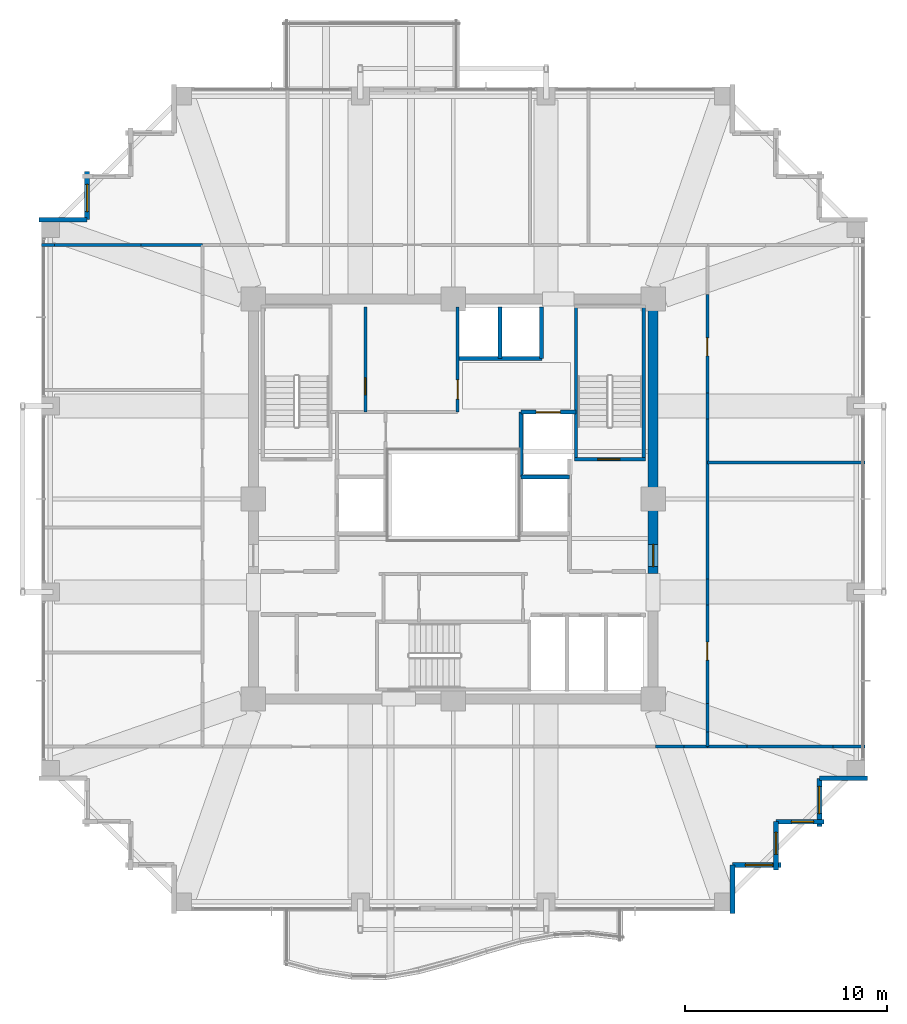
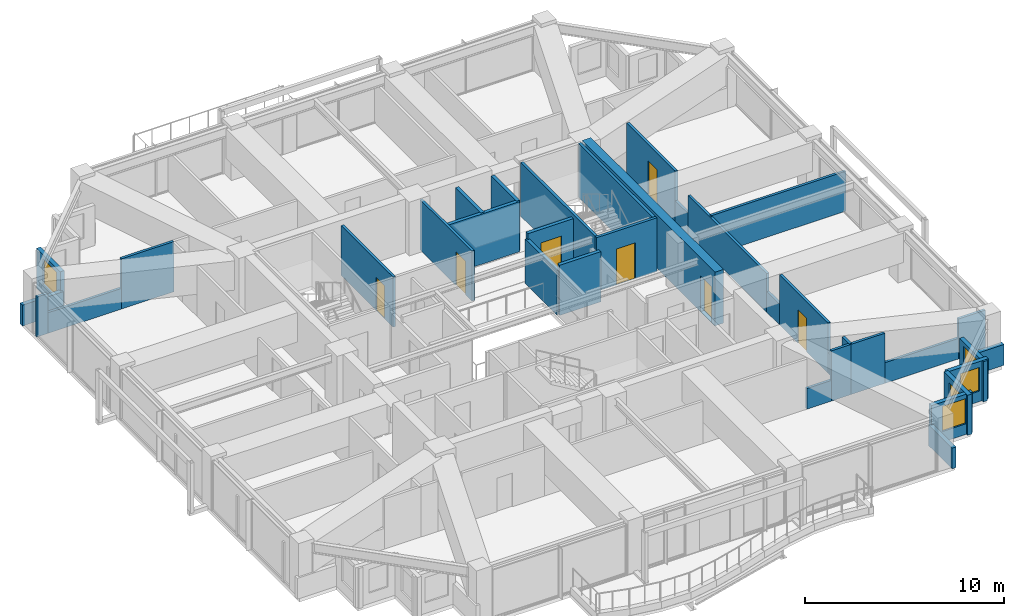
# One storey, part 33 of 37: 36 walls, 7 doors, 5 windows, 12 openings.
"""IFC4 building model written with IfcOpenShell, lengths in metres."""

from ifc_helpers import new_model, si_unit, direction, frame, frame_2d, origin, place, context, subcontext, project, spatial, rectangle, extrude, material, layer, layer_set, type_object, element, fill, save


model = new_model("IFC4")

# Units and contexts
model_context = context("Model", 3, precision=1e-05, world=origin(), true_north=direction((0.0, 1.0)))
body_context = subcontext(model_context, "Body", "Model", "MODEL_VIEW")
ifc_project = project(units=[si_unit("LENGTHUNIT", "METRE"), si_unit("AREAUNIT", "SQUARE_METRE"), si_unit("VOLUMEUNIT", "CUBIC_METRE"), si_unit("PLANEANGLEUNIT", "RADIAN"), si_unit("MASSUNIT", "GRAM", prefix="KILO")], contexts=[model_context])

# Site, building, storey
site_placement = place(None, origin())
site = spatial("IfcSite", under=ifc_project, at=site_placement, CompositionType="ELEMENT")
building_placement = place(site_placement, origin())
building = spatial("IfcBuilding", under=site, at=building_placement, Name="Kolvaren Belvedere", CompositionType="ELEMENT")
storey_placement = place(building_placement, frame((0.0, 0.0, 186.60009765625)))
storey = spatial("IfcBuildingStorey", under=building, at=storey_placement, Name="L54", CompositionType="ELEMENT", Elevation=186.60009765625)

# Wall, opening, door
ifc_material_1 = material(Name="Concrete C50/60", Category="concrete")
ifc_layer_1 = layer(ifc_material_1, 0.5)
ifc_layer_set_1 = layer_set([ifc_layer_1], Name="Concrete C50/60")
wall_type_1 = type_object("IfcWallType", Name="CW-CORE-500", PredefinedType="SHEAR", material=ifc_layer_set_1)
wall_1_placement = place(storey_placement, frame((9.89990234375, -3.699951171875, 0.0), z_axis=(0.0, 0.0, 1.0), x_axis=(0.0, 1.0, 0.0)))
wall_1 = element("IfcWall", 1, at=wall_1_placement, inside=storey, type_object=wall_type_1, Name="L54 East Core Shear Wall 2", PredefinedType="SHEAR", context=body_context, shape_type="SweptSolid", body=[
    extrude(rectangle(XDim=13.349853515625, YDim=0.5, at=frame_2d((6.6748046875, 0.0))), origin(), (0.0, 0.0, 1.0), 3.2998046875),
])
opening_1_placement = place(wall_1_placement, frame((0.35009765625, 0.0, 0.0)))
opening_1 = element("IfcOpeningElement", 2, at=opening_1_placement, cuts=wall_1, Name="Opening D-FD90", PredefinedType="OPENING", context=body_context, shape_type="SweptSolid", body=[
    extrude(rectangle(XDim=1.10009765625, YDim=2.199951171875, at=frame_2d((0.550048828125, 1.10009765625))), frame((0.0, 0.260009765625, 0.0), z_axis=(0.0, -1.0, 0.0), x_axis=(1.0, 0.0, 0.0)), (0.0, 0.0, 1.0), 0.52001953125),
])
ifc_material_2 = material(Name="Painted hollow stainless steel", Category="steel")
door_type_1 = type_object("IfcDoorType", Name="DR-FD90-1100", OperationType="NOTDEFINED", PredefinedType="DOOR", material=ifc_material_2)
door_1_placement = place(opening_1_placement, origin())
door_1 = element("IfcDoor", 3, at=door_1_placement, inside=storey, type_object=door_type_1, Name="L54 East Firefighting Lobby Fire Door", OperationType="SINGLE_SWING_RIGHT", OverallHeight=2.199951171875, OverallWidth=1.10009765625, PredefinedType="DOOR", context=body_context, shape_type="SweptSolid", body=[
    extrude(rectangle(XDim=1.10009765625, YDim=2.199951171875, at=frame_2d((0.550048828125, 1.10009765625))), frame((0.0, 0.02490234375, 0.0), z_axis=(0.0, -1.0, 0.0), x_axis=(1.0, 0.0, 0.0)), (0.0, 0.0, 1.0), 0.050048828125),
])
fill(opening_1, door_1)

ifc_material_3 = material(Name="Concrete C50/60", Category="concrete")
ifc_layer_2 = layer(ifc_material_3, 0.159912109375)
ifc_layer_set_2 = layer_set([ifc_layer_2], Name="Concrete C50/60")
wall_type_2 = type_object("IfcWallType", Name="CW-STAIR-160", PredefinedType="SHEAR", material=ifc_layer_set_2)
wall_2_placement = place(storey_placement, frame((6.0, 1.969970703125, 0.0), z_axis=(0.0, 0.0, 1.0), x_axis=(1.0, 0.0, 0.0)))
wall_2 = element("IfcWall", 4, at=wall_2_placement, inside=storey, type_object=wall_type_2, Name="L54 Stair ST-2 South Shear Wall", PredefinedType="SHEAR", context=body_context, shape_type="SweptSolid", body=[
    extrude(rectangle(XDim=3.52001953125, YDim=0.159912109375, at=frame_2d((1.760009765625, 0.0))), origin(), (0.0, 0.0, 1.0), 3.2998046875),
])
opening_2_placement = place(wall_2_placement, frame((1.14990234375, 0.0, 0.0)))
opening_2 = element("IfcOpeningElement", 5, at=opening_2_placement, cuts=wall_2, Name="Opening D-FD90", PredefinedType="OPENING", context=body_context, shape_type="SweptSolid", body=[
    extrude(rectangle(XDim=1.10009765625, YDim=2.199951171875, at=frame_2d((0.550048828125, 1.10009765625))), frame((0.0, 0.08984375, 0.0), z_axis=(0.0, -1.0, 0.0), x_axis=(1.0, 0.0, 0.0)), (0.0, 0.0, 1.0), 0.179931640625),
])
door_2_placement = place(opening_2_placement, origin())
door_2 = element("IfcDoor", 6, at=door_2_placement, inside=storey, type_object=door_type_1, Name="L54 Stair ST-2 Fire Door", OperationType="SINGLE_SWING_RIGHT", OverallHeight=2.199951171875, OverallWidth=1.10009765625, PredefinedType="DOOR", context=body_context, shape_type="SweptSolid", body=[
    extrude(rectangle(XDim=1.10009765625, YDim=2.199951171875, at=frame_2d((0.550048828125, 1.10009765625))), frame((0.0, 0.02490234375, 0.0), z_axis=(0.0, -1.0, 0.0), x_axis=(1.0, 0.0, 0.0)), (0.0, 0.0, 1.0), 0.050048828125),
])
fill(opening_2, door_2)

# Walls
for number, where, z_axis, x_axis, name in (
    (7, (6.080078125, 1.969970703125, 0.0), (0.0, 0.0, 1.0), (0.0, 1.0, 0.0), "L54 Stair ST-2 West Shear Wall"),
    (8, (9.429931640625, 1.969970703125, 0.0), (0.0, 0.0, 1.0), (0.0, 1.0, 0.0), "L54 Stair ST-2 East Shear Wall"),
):
    element("IfcWall", number, at=place(storey_placement, frame(where, z_axis=z_axis, x_axis=x_axis)), inside=storey, type_object=wall_type_2, Name=name, PredefinedType="SHEAR", context=body_context, shape_type="SweptSolid", body=[
        extrude(rectangle(XDim=7.56005859375, YDim=0.159912109375, at=frame_2d((3.780029296875, 0.0))), origin(), (0.0, 0.0, 1.0), 3.2998046875),
    ])
ifc_material_4 = material(Name="Gypsum fire-rated partition assembly", Category="gypsum")
ifc_layer_3 = layer(ifc_material_4, 0.14990234375)
ifc_layer_set_3 = layer_set([ifc_layer_3], Name="Gypsum fire-rated partition assembly")
wall_type_3 = type_object("IfcWallType", Name="WL-CORR-150", PredefinedType="PARTITIONING", material=ifc_layer_set_3)
wall_3_placement = place(storey_placement, frame((10.013671875, -12.260009765625, 0.0), z_axis=(0.0, 0.0, 1.0), x_axis=(1.0, 0.0, 0.0)))
element("IfcWall", 9, at=wall_3_placement, inside=storey, type_object=wall_type_3, Name="L54 South Corridor Wall", PredefinedType="PARTITIONING", context=body_context, shape_type="SweptSolid", body=[
    extrude(rectangle(XDim=1.416748046875, YDim=0.14990234375, at=frame_2d((0.70849609375, 0.0))), origin(), (0.0, 0.0, 1.0), 1.264892578125),
])
wall_4_placement = place(storey_placement, frame((11.430419921875, -12.260009765625, 0.0), z_axis=(0.0, 0.0, 1.0), x_axis=(1.0, 0.0, 0.0)))
element("IfcWall", 10, at=wall_4_placement, inside=storey, type_object=wall_type_3, Name="L54 South Corridor Wall", PredefinedType="PARTITIONING", context=body_context, shape_type="SweptSolid", body=[
    extrude(rectangle(XDim=1.149658203125, YDim=0.14990234375, at=frame_2d((0.57470703125, 0.0))), origin(), (0.0, 0.0, 1.0), 3.079833984375),
])
wall_5_placement = place(storey_placement, frame((12.580078125, -12.260009765625, 0.0), z_axis=(0.0, 0.0, 1.0), x_axis=(0.0, 1.0, 0.0)))
element("IfcWall", 11, at=wall_5_placement, inside=storey, type_object=wall_type_3, Name="L54 East Corridor Wall", PredefinedType="PARTITIONING", context=body_context, shape_type="SweptSolid", body=[
    extrude(rectangle(XDim=0.71826171875, YDim=0.14990234375, at=frame_2d((0.359130859375, 0.0))), origin(), (0.0, 0.0, 1.0), 3.079833984375),
])
wall_6_placement = place(storey_placement, frame((12.580078125, -11.541748046875, 0.0), z_axis=(0.0, 0.0, 1.0), x_axis=(0.0, 1.0, 0.0)))
element("IfcWall", 12, at=wall_6_placement, inside=storey, type_object=wall_type_3, Name="L54 East Corridor Wall", PredefinedType="PARTITIONING", context=body_context, shape_type="SweptSolid", body=[
    extrude(rectangle(XDim=1.416748046875, YDim=0.14990234375, at=frame_2d((0.70849609375, 0.0))), origin(), (0.0, 0.0, 1.0), 1.264892578125),
])

# Wall, opening, door
wall_7_placement = place(storey_placement, frame((12.580078125, -10.125, 0.0), z_axis=(0.0, 0.0, 1.0), x_axis=(0.0, 1.0, 0.0)))
wall_7 = element("IfcWall", 13, at=wall_7_placement, inside=storey, type_object=wall_type_3, Name="L54 East Corridor Wall", PredefinedType="PARTITIONING", context=body_context, shape_type="SweptSolid", body=[
    extrude(rectangle(XDim=4.883056640625, YDim=0.14990234375, at=frame_2d((2.44140625, 0.0))), origin(), (0.0, 0.0, 1.0), 3.079833984375),
])
opening_3_placement = place(wall_7_placement, frame((2.139892578125, 0.0, 0.0)))
opening_3 = element("IfcOpeningElement", 14, at=opening_3_placement, cuts=wall_7, Name="Opening D-INT90", PredefinedType="OPENING", context=body_context, shape_type="SweptSolid", body=[
    extrude(rectangle(XDim=0.89990234375, YDim=2.06005859375, at=frame_2d((0.449951171875, 1.030029296875))), frame((0.0, 0.0849609375, 0.0), z_axis=(0.0, -1.0, 0.0), x_axis=(1.0, 0.0, 0.0)), (0.0, 0.0, 1.0), 0.169921875),
])
ifc_material_5 = material(Name="Stained Pacific white oak", Category="timber")
door_type_2 = type_object("IfcDoorType", Name="DR-INT-900", OperationType="NOTDEFINED", PredefinedType="DOOR", material=ifc_material_5)
door_3_placement = place(opening_3_placement, origin())
door_3 = element("IfcDoor", 15, at=door_3_placement, inside=storey, type_object=door_type_2, Name="L54 Lounge 5402 Door", OperationType="SINGLE_SWING_LEFT", OverallHeight=2.06005859375, OverallWidth=0.89990234375, PredefinedType="DOOR", context=body_context, shape_type="SweptSolid", body=[
    extrude(rectangle(XDim=0.89990234375, YDim=2.06005859375, at=frame_2d((0.449951171875, 1.030029296875))), frame((0.0, 0.02490234375, 0.0), z_axis=(0.0, -1.0, 0.0), x_axis=(1.0, 0.0, 0.0)), (0.0, 0.0, 1.0), 0.050048828125),
])
fill(opening_3, door_3)

# Walls
wall_8_placement = place(storey_placement, frame((12.580078125, -5.241943359375, 0.0), z_axis=(0.0, 0.0, 1.0), x_axis=(0.0, 1.0, 0.0)))
element("IfcWall", 16, at=wall_8_placement, inside=storey, type_object=wall_type_3, Name="L54 East Corridor Wall", PredefinedType="PARTITIONING", context=body_context, shape_type="SweptSolid", body=[
    extrude(rectangle(XDim=1.283935546875, YDim=0.14990234375, at=frame_2d((0.64208984375, 0.0))), origin(), (0.0, 0.0, 1.0), 1.264892578125),
])
wall_9_placement = place(storey_placement, frame((12.580078125, -3.9580078125, 0.0), z_axis=(0.0, 0.0, 1.0), x_axis=(0.0, 1.0, 0.0)))
element("IfcWall", 17, at=wall_9_placement, inside=storey, type_object=wall_type_3, Name="L54 East Corridor Wall", PredefinedType="PARTITIONING", context=body_context, shape_type="SweptSolid", body=[
    extrude(rectangle(XDim=7.916015625, YDim=0.14990234375, at=frame_2d((3.9580078125, 0.0))), origin(), (0.0, 0.0, 1.0), 2.368896484375),
])
wall_10_placement = place(storey_placement, frame((12.580078125, 3.9580078125, 0.0), z_axis=(0.0, 0.0, 1.0), x_axis=(0.0, 1.0, 0.0)))
element("IfcWall", 18, at=wall_10_placement, inside=storey, type_object=wall_type_3, Name="L54 East Corridor Wall", PredefinedType="PARTITIONING", context=body_context, shape_type="SweptSolid", body=[
    extrude(rectangle(XDim=1.283935546875, YDim=0.14990234375, at=frame_2d((0.64208984375, 0.0))), origin(), (0.0, 0.0, 1.0), 1.264892578125),
])

# Wall, opening, door
wall_11_placement = place(storey_placement, frame((12.580078125, 5.241943359375, 0.0), z_axis=(0.0, 0.0, 1.0), x_axis=(0.0, 1.0, 0.0)))
wall_11 = element("IfcWall", 19, at=wall_11_placement, inside=storey, type_object=wall_type_3, Name="L54 East Corridor Wall", PredefinedType="PARTITIONING", context=body_context, shape_type="SweptSolid", body=[
    extrude(rectangle(XDim=4.883056640625, YDim=0.14990234375, at=frame_2d((2.44140625, 0.0))), origin(), (0.0, 0.0, 1.0), 3.079833984375),
])
opening_4_placement = place(wall_11_placement, frame((1.843017578125, 0.0, 0.0)))
opening_4 = element("IfcOpeningElement", 20, at=opening_4_placement, cuts=wall_11, Name="Opening D-INT90", PredefinedType="OPENING", context=body_context, shape_type="SweptSolid", body=[
    extrude(rectangle(XDim=0.89990234375, YDim=2.06005859375, at=frame_2d((0.449951171875, 1.030029296875))), frame((0.0, 0.0849609375, 0.0), z_axis=(0.0, -1.0, 0.0), x_axis=(1.0, 0.0, 0.0)), (0.0, 0.0, 1.0), 0.169921875),
])
door_4_placement = place(opening_4_placement, origin())
door_4 = element("IfcDoor", 21, at=door_4_placement, inside=storey, type_object=door_type_2, Name="L54 Guest Tea & Espresso Kitchen 5403 Door", OperationType="SINGLE_SWING_RIGHT", OverallHeight=2.06005859375, OverallWidth=0.89990234375, PredefinedType="DOOR", context=body_context, shape_type="SweptSolid", body=[
    extrude(rectangle(XDim=0.89990234375, YDim=2.06005859375, at=frame_2d((0.449951171875, 1.030029296875))), frame((0.0, 0.02490234375, 0.0), z_axis=(0.0, -1.0, 0.0), x_axis=(1.0, 0.0, 0.0)), (0.0, 0.0, 1.0), 0.050048828125),
])
fill(opening_4, door_4)

# Wall
ifc_material_6 = material(Name="Insulated pale-metal facade wall assembly", Category="aluminium")
ifc_layer_4 = layer(ifc_material_6, 0.239990234375)
ifc_layer_set_4 = layer_set([ifc_layer_4], Name="Insulated pale-metal facade wall assembly")
wall_type_4 = type_object("IfcWallType", Name="WL-EXT-240", PredefinedType="STANDARD", material=ifc_layer_set_4)
wall_12_placement = place(storey_placement, frame((13.830078125, -18.1298828125, 0.0), z_axis=(0.0, 0.0, 1.0), x_axis=(0.0, -1.0, 0.0)))
element("IfcWall", 22, at=wall_12_placement, inside=storey, type_object=wall_type_4, Name="L54 Serrated Corner Facade Wall 2", PredefinedType="STANDARD", context=body_context, shape_type="SweptSolid", body=[
    extrude(rectangle(XDim=2.39013671875, YDim=0.239990234375, at=frame_2d((1.195068359375, 0.0))), origin(), (0.0, 0.0, 1.0), 1.27490234375),
])

# Wall, opening, window
wall_13_placement = place(storey_placement, frame((16.219970703125, -18.1298828125, 0.0), z_axis=(0.0, 0.0, 1.0), x_axis=(-1.0, 0.0, 0.0)))
wall_13 = element("IfcWall", 23, at=wall_13_placement, inside=storey, type_object=wall_type_4, Name="L54 Serrated Corner Facade Wall 3", PredefinedType="STANDARD", context=body_context, shape_type="SweptSolid", body=[
    extrude(rectangle(XDim=2.389892578125, YDim=0.239990234375, at=frame_2d((1.19482421875, 0.0))), origin(), (0.0, 0.0, 1.0), 2.462890625),
])
opening_5_placement = place(wall_13_placement, frame((0.39990234375, 0.0, 0.64990234375)))
opening_5 = element("IfcOpeningElement", 24, at=opening_5_placement, cuts=wall_13, Name="Opening W-1350", PredefinedType="OPENING", context=body_context, shape_type="SweptSolid", body=[
    extrude(rectangle(XDim=1.35009765625, YDim=1.550048828125, at=frame_2d((0.675048828125, 0.77490234375))), frame((0.0, 0.1298828125, 0.0), z_axis=(0.0, -1.0, 0.0), x_axis=(1.0, 0.0, 0.0)), (0.0, 0.0, 1.0), 0.260009765625),
])
ifc_material_7 = material(Name="Low-iron triple insulated glass", Category="glass")
window_type_1 = type_object("IfcWindowType", Name="WN-CORN-1350", PartitioningType="SINGLE_PANEL", PredefinedType="WINDOW", material=ifc_material_7)
window_1_placement = place(opening_5_placement, origin())
window_1 = element("IfcWindow", 25, at=window_1_placement, inside=storey, type_object=window_type_1, Name="L54 Serrated Corner Vision Window 3", OverallHeight=1.550048828125, OverallWidth=1.35009765625, PartitioningType="SINGLE_PANEL", PredefinedType="WINDOW", context=body_context, shape_type="SweptSolid", body=[
    extrude(rectangle(XDim=1.35009765625, YDim=1.550048828125, at=frame_2d((0.675048828125, 0.77490234375))), frame((0.0, 0.030029296875, 0.0), z_axis=(0.0, -1.0, 0.0), x_axis=(1.0, 0.0, 0.0)), (0.0, 0.0, 1.0), 0.06005859375),
])
fill(opening_5, window_1)

wall_14_placement = place(storey_placement, frame((15.97998046875, -15.97998046875, 0.0), z_axis=(0.0, 0.0, 1.0), x_axis=(0.0, -1.0, 0.0)))
wall_14 = element("IfcWall", 26, at=wall_14_placement, inside=storey, type_object=wall_type_4, Name="L54 Serrated Corner Facade Wall 4", PredefinedType="STANDARD", context=body_context, shape_type="SweptSolid", body=[
    extrude(rectangle(XDim=2.39013671875, YDim=0.239990234375, at=frame_2d((1.195068359375, 0.0))), origin(), (0.0, 0.0, 1.0), 2.462890625),
])
opening_6_placement = place(wall_14_placement, frame((0.52490234375, 0.0, 0.64990234375)))
opening_6 = element("IfcOpeningElement", 27, at=opening_6_placement, cuts=wall_14, Name="Opening W-1100", PredefinedType="OPENING", context=body_context, shape_type="SweptSolid", body=[
    extrude(rectangle(XDim=1.10009765625, YDim=1.449951171875, at=frame_2d((0.550048828125, 0.72509765625))), frame((0.0, 0.1298828125, 0.0), z_axis=(0.0, -1.0, 0.0), x_axis=(1.0, 0.0, 0.0)), (0.0, 0.0, 1.0), 0.260009765625),
])
ifc_material_8 = material(Name="Low-iron triple insulated glass", Category="glass")
window_type_2 = type_object("IfcWindowType", Name="WN-CORN-1100", PartitioningType="SINGLE_PANEL", PredefinedType="WINDOW", material=ifc_material_8)
window_2_placement = place(opening_6_placement, origin())
window_2 = element("IfcWindow", 28, at=window_2_placement, inside=storey, type_object=window_type_2, Name="L54 Serrated Corner Vision Window 4", OverallHeight=1.449951171875, OverallWidth=1.10009765625, PartitioningType="SINGLE_PANEL", PredefinedType="WINDOW", context=body_context, shape_type="SweptSolid", body=[
    extrude(rectangle(XDim=1.10009765625, YDim=1.449951171875, at=frame_2d((0.550048828125, 0.72509765625))), frame((0.0, 0.030029296875, 0.0), z_axis=(0.0, -1.0, 0.0), x_axis=(1.0, 0.0, 0.0)), (0.0, 0.0, 1.0), 0.06005859375),
])
fill(opening_6, window_2)

wall_15_placement = place(storey_placement, frame((18.3701171875, -15.97998046875, 0.0), z_axis=(0.0, 0.0, 1.0), x_axis=(-1.0, 0.0, 0.0)))
wall_15 = element("IfcWall", 29, at=wall_15_placement, inside=storey, type_object=wall_type_4, Name="L54 Serrated Corner Facade Wall 5", PredefinedType="STANDARD", context=body_context, shape_type="SweptSolid", body=[
    extrude(rectangle(XDim=2.39013671875, YDim=0.239990234375, at=frame_2d((1.195068359375, 0.0))), origin(), (0.0, 0.0, 1.0), 2.462890625),
])
opening_7_placement = place(wall_15_placement, frame((0.52490234375, 0.0, 0.64990234375)))
opening_7 = element("IfcOpeningElement", 30, at=opening_7_placement, cuts=wall_15, Name="Opening W-1100", PredefinedType="OPENING", context=body_context, shape_type="SweptSolid", body=[
    extrude(rectangle(XDim=1.10009765625, YDim=1.449951171875, at=frame_2d((0.550048828125, 0.72509765625))), frame((0.0, 0.1298828125, 0.0), z_axis=(0.0, -1.0, 0.0), x_axis=(1.0, 0.0, 0.0)), (0.0, 0.0, 1.0), 0.260009765625),
])
window_3_placement = place(opening_7_placement, origin())
window_3 = element("IfcWindow", 31, at=window_3_placement, inside=storey, type_object=window_type_2, Name="L54 Serrated Corner Vision Window 5", OverallHeight=1.449951171875, OverallWidth=1.10009765625, PartitioningType="SINGLE_PANEL", PredefinedType="WINDOW", context=body_context, shape_type="SweptSolid", body=[
    extrude(rectangle(XDim=1.10009765625, YDim=1.449951171875, at=frame_2d((0.550048828125, 0.72509765625))), frame((0.0, 0.030029296875, 0.0), z_axis=(0.0, -1.0, 0.0), x_axis=(1.0, 0.0, 0.0)), (0.0, 0.0, 1.0), 0.06005859375),
])
fill(opening_7, window_3)

wall_16_placement = place(storey_placement, frame((18.1298828125, -13.830078125, 0.0), z_axis=(0.0, 0.0, 1.0), x_axis=(0.0, -1.0, 0.0)))
wall_16 = element("IfcWall", 32, at=wall_16_placement, inside=storey, type_object=wall_type_4, Name="L54 Serrated Corner Facade Wall 6", PredefinedType="STANDARD", context=body_context, shape_type="SweptSolid", body=[
    extrude(rectangle(XDim=2.389892578125, YDim=0.239990234375, at=frame_2d((1.19482421875, 0.0))), origin(), (0.0, 0.0, 1.0), 2.462890625),
])
opening_8_placement = place(wall_16_placement, frame((0.39990234375, 0.0, 0.64990234375)))
opening_8 = element("IfcOpeningElement", 33, at=opening_8_placement, cuts=wall_16, Name="Opening W-1350", PredefinedType="OPENING", context=body_context, shape_type="SweptSolid", body=[
    extrude(rectangle(XDim=1.35009765625, YDim=1.550048828125, at=frame_2d((0.675048828125, 0.77490234375))), frame((0.0, 0.1298828125, 0.0), z_axis=(0.0, -1.0, 0.0), x_axis=(1.0, 0.0, 0.0)), (0.0, 0.0, 1.0), 0.260009765625),
])
window_4_placement = place(opening_8_placement, origin())
window_4 = element("IfcWindow", 34, at=window_4_placement, inside=storey, type_object=window_type_1, Name="L54 Serrated Corner Vision Window 6", OverallHeight=1.550048828125, OverallWidth=1.35009765625, PartitioningType="SINGLE_PANEL", PredefinedType="WINDOW", context=body_context, shape_type="SweptSolid", body=[
    extrude(rectangle(XDim=1.35009765625, YDim=1.550048828125, at=frame_2d((0.675048828125, 0.77490234375))), frame((0.0, 0.030029296875, 0.0), z_axis=(0.0, -1.0, 0.0), x_axis=(1.0, 0.0, 0.0)), (0.0, 0.0, 1.0), 0.06005859375),
])
fill(opening_8, window_4)

# Wall
wall_17_placement = place(storey_placement, frame((20.52001953125, -13.830078125, 0.0), z_axis=(0.0, 0.0, 1.0), x_axis=(-1.0, 0.0, 0.0)))
element("IfcWall", 35, at=wall_17_placement, inside=storey, type_object=wall_type_4, Name="L54 Serrated Corner Facade Wall 7", PredefinedType="STANDARD", context=body_context, shape_type="SweptSolid", body=[
    extrude(rectangle(XDim=2.39013671875, YDim=0.239990234375, at=frame_2d((1.195068359375, 0.0))), origin(), (0.0, 0.0, 1.0), 1.27490234375),
])

# Wall, opening, window
wall_18_placement = place(storey_placement, frame((-18.1298828125, 13.830078125, 0.0), z_axis=(0.0, 0.0, 1.0), x_axis=(0.0, 1.0, 0.0)))
wall_18 = element("IfcWall", 36, at=wall_18_placement, inside=storey, type_object=wall_type_4, Name="L54 Serrated Corner Facade Wall 20", PredefinedType="STANDARD", context=body_context, shape_type="SweptSolid", body=[
    extrude(rectangle(XDim=2.389892578125, YDim=0.239990234375, at=frame_2d((1.19482421875, 0.0))), origin(), (0.0, 0.0, 1.0), 2.462890625),
])
opening_9_placement = place(wall_18_placement, frame((0.39990234375, 0.0, 0.64990234375)))
opening_9 = element("IfcOpeningElement", 37, at=opening_9_placement, cuts=wall_18, Name="Opening W-1350", PredefinedType="OPENING", context=body_context, shape_type="SweptSolid", body=[
    extrude(rectangle(XDim=1.35009765625, YDim=1.550048828125, at=frame_2d((0.675048828125, 0.77490234375))), frame((0.0, 0.1298828125, 0.0), z_axis=(0.0, -1.0, 0.0), x_axis=(1.0, 0.0, 0.0)), (0.0, 0.0, 1.0), 0.260009765625),
])
window_5_placement = place(opening_9_placement, origin())
window_5 = element("IfcWindow", 38, at=window_5_placement, inside=storey, type_object=window_type_1, Name="L54 Serrated Corner Vision Window 20", OverallHeight=1.550048828125, OverallWidth=1.35009765625, PartitioningType="SINGLE_PANEL", PredefinedType="WINDOW", context=body_context, shape_type="SweptSolid", body=[
    extrude(rectangle(XDim=1.35009765625, YDim=1.550048828125, at=frame_2d((0.675048828125, 0.77490234375))), frame((0.0, 0.030029296875, 0.0), z_axis=(0.0, -1.0, 0.0), x_axis=(1.0, 0.0, 0.0)), (0.0, 0.0, 1.0), 0.06005859375),
])
fill(opening_9, window_5)

# Wall
wall_19_placement = place(storey_placement, frame((-20.52001953125, 13.830078125, 0.0), z_axis=(0.0, 0.0, 1.0), x_axis=(1.0, 0.0, 0.0)))
element("IfcWall", 39, at=wall_19_placement, inside=storey, type_object=wall_type_4, Name="L54 Serrated Corner Facade Wall 21", PredefinedType="STANDARD", context=body_context, shape_type="SweptSolid", body=[
    extrude(rectangle(XDim=2.39013671875, YDim=0.239990234375, at=frame_2d((1.195068359375, 0.0))), origin(), (0.0, 0.0, 1.0), 1.27490234375),
])

# Wall, opening, door
ifc_material_9 = material(Name="Gypsum acoustic partition assembly", Category="gypsum")
ifc_layer_5 = layer(ifc_material_9, 0.14990234375)
ifc_layer_set_5 = layer_set([ifc_layer_5], Name="Gypsum acoustic partition assembly")
wall_type_5 = type_object("IfcWallType", Name="WL-PART-150", PredefinedType="PARTITIONING", material=ifc_layer_set_5)
wall_20_placement = place(storey_placement, frame((0.219970703125, 4.300048828125, 0.0), z_axis=(0.0, 0.0, 1.0), x_axis=(0.0, 1.0, 0.0)))
wall_20 = element("IfcWall", 40, at=wall_20_placement, inside=storey, type_object=wall_type_5, Name="L54 Reclaimed Salon East Wall", PredefinedType="PARTITIONING", context=body_context, shape_type="SweptSolid", body=[
    extrude(rectangle(XDim=5.219970703125, YDim=0.14990234375, at=frame_2d((2.60986328125, 0.0))), origin(), (0.0, 0.0, 1.0), 3.079833984375),
])
opening_10_placement = place(wall_20_placement, frame((0.64990234375, 0.0, 0.0)))
opening_10 = element("IfcOpeningElement", 41, at=opening_10_placement, cuts=wall_20, Name="Opening D-INT95", PredefinedType="OPENING", context=body_context, shape_type="SweptSolid", body=[
    extrude(rectangle(XDim=0.949951171875, YDim=2.06005859375, at=frame_2d((0.47509765625, 1.030029296875))), frame((0.0, 0.0849609375, 0.0), z_axis=(0.0, -1.0, 0.0), x_axis=(1.0, 0.0, 0.0)), (0.0, 0.0, 1.0), 0.169921875),
])
ifc_material_10 = material(Name="Stained Pacific white oak", Category="timber")
door_type_3 = type_object("IfcDoorType", Name="DR-INT-950", OperationType="NOTDEFINED", PredefinedType="DOOR", material=ifc_material_10)
door_5_placement = place(opening_10_placement, origin())
door_5 = element("IfcDoor", 42, at=door_5_placement, inside=storey, type_object=door_type_3, Name="L54 Art Salon Door", OperationType="SINGLE_SWING_LEFT", OverallHeight=2.06005859375, OverallWidth=0.949951171875, PredefinedType="DOOR", context=body_context, shape_type="SweptSolid", body=[
    extrude(rectangle(XDim=0.949951171875, YDim=2.06005859375, at=frame_2d((0.47509765625, 1.030029296875))), frame((0.0, 0.02490234375, 0.0), z_axis=(0.0, -1.0, 0.0), x_axis=(1.0, 0.0, 0.0)), (0.0, 0.0, 1.0), 0.050048828125),
])
fill(opening_10, door_5)

wall_21_placement = place(storey_placement, frame((-4.35009765625, 4.300048828125, 0.0), z_axis=(0.0, 0.0, 1.0), x_axis=(0.0, 1.0, 0.0)))
wall_21 = element("IfcWall", 43, at=wall_21_placement, inside=storey, type_object=wall_type_5, Name="L54 Reclaimed Archive Divider", PredefinedType="PARTITIONING", context=body_context, shape_type="SweptSolid", body=[
    extrude(rectangle(XDim=5.219970703125, YDim=0.14990234375, at=frame_2d((2.60986328125, 0.0))), origin(), (0.0, 0.0, 1.0), 3.079833984375),
])
opening_11_placement = place(wall_21_placement, frame((0.85009765625, 0.0, 0.0)))
opening_11 = element("IfcOpeningElement", 44, at=opening_11_placement, cuts=wall_21, Name="Opening D-INT85", PredefinedType="OPENING", context=body_context, shape_type="SweptSolid", body=[
    extrude(rectangle(XDim=0.85009765625, YDim=2.030029296875, at=frame_2d((0.425048828125, 1.01513671875))), frame((0.0, 0.0849609375, 0.0), z_axis=(0.0, -1.0, 0.0), x_axis=(1.0, 0.0, 0.0)), (0.0, 0.0, 1.0), 0.169921875),
])
ifc_material_11 = material(Name="Stained Pacific white oak", Category="timber")
door_type_4 = type_object("IfcDoorType", Name="DR-INT-850", OperationType="NOTDEFINED", PredefinedType="DOOR", material=ifc_material_11)
door_6_placement = place(opening_11_placement, origin())
door_6 = element("IfcDoor", 45, at=door_6_placement, inside=storey, type_object=door_type_4, Name="L54 Archive Store Door", OperationType="SINGLE_SWING_RIGHT", OverallHeight=2.030029296875, OverallWidth=0.85009765625, PredefinedType="DOOR", context=body_context, shape_type="SweptSolid", body=[
    extrude(rectangle(XDim=0.85009765625, YDim=2.030029296875, at=frame_2d((0.425048828125, 1.01513671875))), frame((0.0, 0.02490234375, 0.0), z_axis=(0.0, -1.0, 0.0), x_axis=(1.0, 0.0, 0.0)), (0.0, 0.0, 1.0), 0.050048828125),
])
fill(opening_11, door_6)

# Walls
wall_22_placement = place(storey_placement, frame((12.580078125, -12.260009765625, 0.0), z_axis=(0.0, 0.0, 1.0), x_axis=(1.0, 0.0, 0.0)))
element("IfcWall", 46, at=wall_22_placement, inside=storey, type_object=wall_type_5, Name="L54 Wing Divider PW-L54-QSE", PredefinedType="PARTITIONING", context=body_context, shape_type="SweptSolid", body=[
    extrude(rectangle(XDim=1.955810546875, YDim=0.14990234375, at=frame_2d((0.97802734375, 0.0))), origin(), (0.0, 0.0, 1.0), 3.079833984375),
])
wall_23_placement = place(storey_placement, frame((14.535888671875, -12.260009765625, 0.0), z_axis=(0.0, 0.0, 1.0), x_axis=(1.0, 0.0, 0.0)))
element("IfcWall", 47, at=wall_23_placement, inside=storey, type_object=wall_type_5, Name="L54 Wing Divider PW-L54-QSE", PredefinedType="PARTITIONING", context=body_context, shape_type="SweptSolid", body=[
    extrude(rectangle(XDim=4.28125, YDim=0.14990234375, at=frame_2d((2.140625, 0.0))), origin(), (0.0, 0.0, 1.0), 1.264892578125),
])
wall_24_placement = place(storey_placement, frame((18.817138671875, -12.260009765625, 0.0), z_axis=(0.0, 0.0, 1.0), x_axis=(1.0, 0.0, 0.0)))
element("IfcWall", 48, at=wall_24_placement, inside=storey, type_object=wall_type_5, Name="L54 Wing Divider PW-L54-QSE", PredefinedType="PARTITIONING", context=body_context, shape_type="SweptSolid", body=[
    extrude(rectangle(XDim=1.562744140625, YDim=0.14990234375, at=frame_2d((0.78125, 0.0))), origin(), (0.0, 0.0, 1.0), 2.452880859375),
])
wall_25_placement = place(storey_placement, frame((-20.3798828125, 12.580078125, 0.0), z_axis=(0.0, 0.0, 1.0), x_axis=(1.0, 0.0, 0.0)))
element("IfcWall", 49, at=wall_25_placement, inside=storey, type_object=wall_type_5, Name="L54 Wing Divider PW-L54-QNW", PredefinedType="PARTITIONING", context=body_context, shape_type="SweptSolid", body=[
    extrude(rectangle(XDim=0.643798828125, YDim=0.14990234375, at=frame_2d((0.32177734375, 0.0))), origin(), (0.0, 0.0, 1.0), 2.452880859375),
])
wall_26_placement = place(storey_placement, frame((-19.736083984375, 12.580078125, 0.0), z_axis=(0.0, 0.0, 1.0), x_axis=(1.0, 0.0, 0.0)))
element("IfcWall", 50, at=wall_26_placement, inside=storey, type_object=wall_type_5, Name="L54 Wing Divider PW-L54-QNW", PredefinedType="PARTITIONING", context=body_context, shape_type="SweptSolid", body=[
    extrude(rectangle(XDim=4.28125, YDim=0.14990234375, at=frame_2d((2.140625, 0.0))), origin(), (0.0, 0.0, 1.0), 1.264892578125),
])
wall_27_placement = place(storey_placement, frame((-15.454833984375, 12.580078125, 0.0), z_axis=(0.0, 0.0, 1.0), x_axis=(1.0, 0.0, 0.0)))
element("IfcWall", 51, at=wall_27_placement, inside=storey, type_object=wall_type_5, Name="L54 Wing Divider PW-L54-QNW", PredefinedType="PARTITIONING", context=body_context, shape_type="SweptSolid", body=[
    extrude(rectangle(XDim=3.034912109375, YDim=0.14990234375, at=frame_2d((1.517578125, 0.0))), origin(), (0.0, 0.0, 1.0), 3.079833984375),
])
wall_28_placement = place(storey_placement, frame((12.580078125, 1.800048828125, 0.0), z_axis=(0.0, 0.0, 1.0), x_axis=(1.0, 0.0, 0.0)))
element("IfcWall", 52, at=wall_28_placement, inside=storey, type_object=wall_type_5, Name="L54 East Suite Demising Wall 1", PredefinedType="PARTITIONING", context=body_context, shape_type="SweptSolid", body=[
    extrude(rectangle(XDim=7.7998046875, YDim=0.14990234375, at=frame_2d((3.89990234375, 0.0))), origin(), (0.0, 0.0, 1.0), 2.452880859375),
])
ifc_material_12 = material(Name="Concrete C50/60", Category="concrete")
ifc_layer_6 = layer(ifc_material_12, 0.199951171875)
ifc_layer_set_6 = layer_set([ifc_layer_6], Name="Concrete C50/60")
wall_type_6 = type_object("IfcWallType", Name="WL-SHAFT-200", PredefinedType="SOLIDWALL", material=ifc_layer_set_6)
wall_29_placement = place(storey_placement, frame((3.35009765625, 1.10009765625, 0.0), z_axis=(0.0, 0.0, 1.0), x_axis=(1.0, 0.0, 0.0)))
element("IfcWall", 53, at=wall_29_placement, inside=storey, type_object=wall_type_6, Name="L54 FSAE FS2 North Wall", PredefinedType="SOLIDWALL", context=body_context, shape_type="SweptSolid", body=[
    extrude(rectangle(XDim=2.39990234375, YDim=0.199951171875, at=frame_2d((1.199951171875, 0.0))), origin(), (0.0, 0.0, 1.0), 3.079833984375),
])

# Wall, opening, door
wall_30_placement = place(storey_placement, frame((3.35009765625, 4.300048828125, 0.0), z_axis=(0.0, 0.0, 1.0), x_axis=(1.0, 0.0, 0.0)))
wall_30 = element("IfcWall", 54, at=wall_30_placement, inside=storey, type_object=wall_type_6, Name="L54 Service Lift SV1 Front Wall", PredefinedType="SOLIDWALL", context=body_context, shape_type="SweptSolid", body=[
    extrude(rectangle(XDim=2.72998046875, YDim=0.199951171875, at=frame_2d((1.364990234375, 0.0))), origin(), (0.0, 0.0, 1.0), 3.079833984375),
])
opening_12_placement = place(wall_30_placement, frame((0.75, 0.0, 0.0)))
opening_12 = element("IfcOpeningElement", 55, at=opening_12_placement, cuts=wall_30, Name="Opening LD-12", PredefinedType="OPENING", context=body_context, shape_type="SweptSolid", body=[
    extrude(rectangle(XDim=1.199951171875, YDim=2.25, at=frame_2d((0.60009765625, 1.125))), frame((0.0, 0.10986328125, 0.0), z_axis=(0.0, -1.0, 0.0), x_axis=(1.0, 0.0, 0.0)), (0.0, 0.0, 1.0), 0.219970703125),
])
ifc_material_13 = material(Name="Brushed stainless steel", Category="steel")
door_type_5 = type_object("IfcDoorType", Name="DR-LIFT-1200", OperationType="DOUBLE_DOOR_SLIDING", PredefinedType="DOOR", material=ifc_material_13)
door_7_placement = place(opening_12_placement, origin())
door_7 = element("IfcDoor", 56, at=door_7_placement, inside=storey, type_object=door_type_5, Name="L54 Service Lift SV1 Landing Door", OperationType="DOUBLE_DOOR_SLIDING", OverallHeight=2.25, OverallWidth=1.199951171875, PredefinedType="DOOR", context=body_context, shape_type="SweptSolid", body=[
    extrude(rectangle(XDim=1.199951171875, YDim=2.25, at=frame_2d((0.60009765625, 1.125))), frame((0.0, 0.02490234375, 0.0), z_axis=(0.0, -1.0, 0.0), x_axis=(1.0, 0.0, 0.0)), (0.0, 0.0, 1.0), 0.050048828125),
])
fill(opening_12, door_7)

# Walls
wall_31_placement = place(storey_placement, frame((3.35009765625, 1.10009765625, 0.0), z_axis=(0.0, 0.0, 1.0), x_axis=(0.0, 1.0, 0.0)))
element("IfcWall", 57, at=wall_31_placement, inside=storey, type_object=wall_type_6, Name="L54 Service Lift SV1 West Wall", PredefinedType="SOLIDWALL", context=body_context, shape_type="SweptSolid", body=[
    extrude(rectangle(XDim=3.199951171875, YDim=0.199951171875, at=frame_2d((1.60009765625, 0.0))), origin(), (0.0, 0.0, 1.0), 2.71484375),
])
wall_32_placement = place(storey_placement, frame((0.219970703125, 6.949951171875, 0.0), z_axis=(0.0, 0.0, 1.0), x_axis=(1.0, 0.0, 0.0)))
element("IfcWall", 58, at=wall_32_placement, inside=storey, type_object=wall_type_6, Name="L54 Express Shuttle Hoistway Wall", PredefinedType="SOLIDWALL", context=body_context, shape_type="SweptSolid", body=[
    extrude(rectangle(XDim=4.179931640625, YDim=0.199951171875, at=frame_2d((2.08984375, 0.0))), origin(), (0.0, 0.0, 1.0), 3.079833984375),
])
for number, where, z_axis, x_axis, name in (
    (59, (4.3798828125, 6.949951171875, 0.0), (0.0, 0.0, 1.0), (0.0, 1.0, 0.0), "L54 Express Shuttle East Wall"),
    (60, (2.31005859375, 6.949951171875, 0.0), (0.0, 0.0, 1.0), (0.0, 1.0, 0.0), "L54 Express Shuttle Divider"),
):
    element("IfcWall", number, at=place(storey_placement, frame(where, z_axis=z_axis, x_axis=x_axis)), inside=storey, type_object=wall_type_6, Name=name, PredefinedType="SOLIDWALL", context=body_context, shape_type="SweptSolid", body=[
        extrude(rectangle(XDim=2.570068359375, YDim=0.199951171875, at=frame_2d((1.28515625, 0.0))), origin(), (0.0, 0.0, 1.0), 3.079833984375),
    ])

save(model, "model.ifc")
